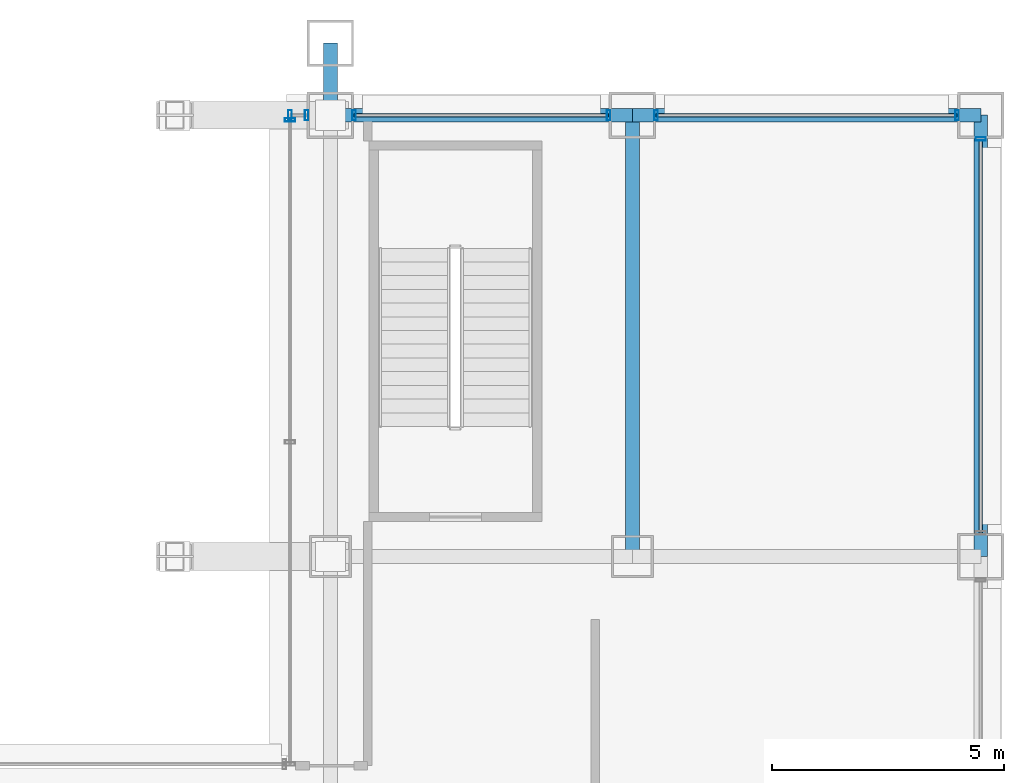
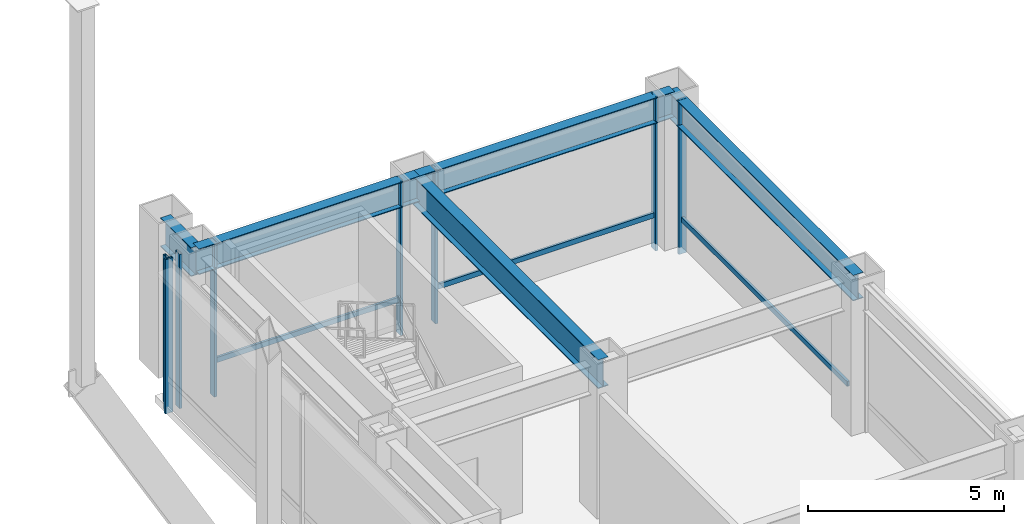
# One storey, part 25 of 40: 11 members, 5 beams, 5 elements without a shape of their own.
"""IFC4 building model written with IfcOpenShell, lengths in metres."""

from ifc_helpers import new_model, si_unit, direction, frame, origin, origin_2d, place, context, subcontext, project, spatial, hollow_rectangle, i_section, extrude, material, layer, layer_set, material_profile, profile_set, type_object, element, aggregate, save


model = new_model("IFC4")

# Units and contexts
model_context = context("Model", 3, precision=1e-05, world=origin(), true_north=direction((0.0, 1.0)))
body_context = subcontext(model_context, "Body", "Model", "MODEL_VIEW")
ifc_project = project(units=[si_unit("LENGTHUNIT", "METRE"), si_unit("AREAUNIT", "SQUARE_METRE"), si_unit("VOLUMEUNIT", "CUBIC_METRE"), si_unit("PLANEANGLEUNIT", "RADIAN"), si_unit("MASSUNIT", "GRAM", prefix="KILO")], contexts=[model_context])

# Site, building, storey
site_placement = place(None, origin())
site = spatial("IfcSite", under=ifc_project, at=site_placement, CompositionType="ELEMENT")
building_placement = place(site_placement, origin())
building = spatial("IfcBuilding", under=site, at=building_placement, Name="Brelmoor Portico Tower", CompositionType="ELEMENT")
storey_placement = place(building_placement, frame((0.0, 0.0, 4.800048828125)))
storey = spatial("IfcBuildingStorey", under=building, at=storey_placement, Name="L01", CompositionType="ELEMENT", Elevation=4.800048828125)

# Beams
ifc_material_1 = material(Name="Steel Q355B", Category="steel")
ifc_material_profile_1 = material_profile(ifc_material_1, i_section(OverallWidth=0.300048828125, OverallDepth=0.89990234375, WebThickness=0.01611328125, FlangeThickness=0.028076171875, at=origin_2d()), Name="HN 900x300x16x28")
ifc_profile_set_1 = profile_set([ifc_material_profile_1], Name="Steel Q355B")
beam_type_1 = type_object("IfcBeamType", Name="BM-PG-900", PredefinedType="BEAM", material=ifc_profile_set_1)
beam_1_placement = place(storey_placement, frame((14.550048828125, 27.550048828125, 4.1298828125), z_axis=(0.0, 1.0, 0.0), x_axis=(-1.0, 0.0, 0.0)))
element("IfcBeam", 1, at=beam_1_placement, inside=storey, type_object=beam_type_1, Name="L01 Primary Floor Girder PG-18", PredefinedType="BEAM", context=body_context, shape_type="SweptSolid", body=[
    extrude(i_section(OverallWidth=0.300048828125, OverallDepth=0.89990234375, WebThickness=0.01611328125, FlangeThickness=0.028076171875, at=origin_2d()), origin(), (0.0, 0.0, 1.0), 1.550048828125),
])
beam_2_placement = place(storey_placement, frame((21.050048828125, 18.050048828125, 4.1298828125), z_axis=(0.0, 1.0, 0.0), x_axis=(-1.0, 0.0, 0.0)))
element("IfcBeam", 2, at=beam_2_placement, inside=storey, type_object=beam_type_1, Name="L01 Primary Floor Girder PG-20", PredefinedType="BEAM", context=body_context, shape_type="SweptSolid", body=[
    extrude(i_section(OverallWidth=0.300048828125, OverallDepth=0.89990234375, WebThickness=0.01611328125, FlangeThickness=0.028076171875, at=origin_2d()), origin(), (0.0, 0.0, 1.0), 9.5),
])
ifc_material_profile_2 = material_profile(ifc_material_1, i_section(OverallWidth=0.300048828125, OverallDepth=0.800048828125, WebThickness=0.013916015625, FlangeThickness=0.02587890625, at=origin_2d()), Name="HN 800x300x14x26")
ifc_profile_set_2 = profile_set([ifc_material_profile_2], Name="Steel Q355B")
beam_type_2 = type_object("IfcBeamType", Name="BM-SP-800", PredefinedType="SPANDREL", material=ifc_profile_set_2)
beam_3_placement = place(storey_placement, frame((14.550048828125, 27.550048828125, 4.179931640625), z_axis=(1.0, 0.0, 0.0), x_axis=(0.0, 1.0, 0.0)))
element("IfcBeam", 3, at=beam_3_placement, inside=storey, type_object=beam_type_2, Name="L01 Perimeter Spandrel Beam SP-07", PredefinedType="SPANDREL", context=body_context, shape_type="SweptSolid", body=[
    extrude(i_section(OverallWidth=0.300048828125, OverallDepth=0.800048828125, WebThickness=0.013916015625, FlangeThickness=0.02587890625, at=origin_2d()), origin(), (0.0, 0.0, 1.0), 6.5),
])
beam_4_placement = place(storey_placement, frame((21.050048828125, 27.550048828125, 4.179931640625), z_axis=(1.0, 0.0, 0.0), x_axis=(0.0, 1.0, 0.0)))
element("IfcBeam", 4, at=beam_4_placement, inside=storey, type_object=beam_type_2, Name="L01 Perimeter Spandrel Beam SP-08", PredefinedType="SPANDREL", context=body_context, shape_type="SweptSolid", body=[
    extrude(i_section(OverallWidth=0.300048828125, OverallDepth=0.800048828125, WebThickness=0.013916015625, FlangeThickness=0.02587890625, at=origin_2d()), origin(), (0.0, 0.0, 1.0), 7.5),
])
beam_5_placement = place(storey_placement, frame((28.550048828125, 18.050048828125, 4.179931640625), z_axis=(0.0, 1.0, 0.0), x_axis=(-1.0, 0.0, 0.0)))
element("IfcBeam", 5, at=beam_5_placement, inside=storey, type_object=beam_type_2, Name="L01 Perimeter Spandrel Beam SP-20", PredefinedType="SPANDREL", context=body_context, shape_type="SweptSolid", body=[
    extrude(i_section(OverallWidth=0.300048828125, OverallDepth=0.800048828125, WebThickness=0.013916015625, FlangeThickness=0.02587890625, at=origin_2d()), origin(), (0.0, 0.0, 1.0), 9.5),
])

# Curtain wall, members
ifc_material_2 = material(Name="Anodised Aluminium Alloy 6063-T6", Category="aluminium")
ifc_layer = layer(ifc_material_2, 0.179931640625)
ifc_layer_set = layer_set([ifc_layer], Name="Anodised Aluminium Alloy 6063-T6")
curtain_wall_type = type_object("IfcCurtainWallType", Name="CW-PODIUM-ARCH", PredefinedType="NOTDEFINED", material=ifc_layer_set)
curtain_wall_1_placement = place(storey_placement, origin())
curtain_wall_1 = element("IfcCurtainWall", 6, at=curtain_wall_1_placement, inside=storey, type_object=curtain_wall_type, Name="L01 Curtain Wall CW-L01-04-1", PredefinedType="NOTDEFINED")
ifc_material_profile_3 = material_profile(ifc_material_2, hollow_rectangle(XDim=0.074951171875, YDim=0.219970703125, WallThickness=0.0048828125, at=origin_2d()), Name="ALU MULLION 75x220")
ifc_profile_set_3 = profile_set([ifc_material_profile_3], Name="Anodised Aluminium Alloy 6063-T6")
member_type_1 = type_object("IfcMemberType", Name="MB-CW-MULL-220", PredefinedType="MULLION", material=ifc_profile_set_3)
member_1_placement = place(storey_placement, frame((13.679931640625, 27.550048828125, -0.219970703125), z_axis=(0.0, 0.0, 1.0), x_axis=(1.0, 0.0, 0.0)))
member_1 = element("IfcMember", 7, at=member_1_placement, type_object=member_type_1, Name="CW-L01-04-1 Mullion 00", PredefinedType="MULLION", context=body_context, shape_type="SweptSolid", body=[
    extrude(hollow_rectangle(XDim=0.074951171875, YDim=0.219970703125, WallThickness=0.0048828125, at=origin_2d()), origin(), (0.0, 0.0, 1.0), 4.7998046875),
])
member_2_placement = place(storey_placement, frame((14.0400390625, 27.550048828125, -0.219970703125), z_axis=(0.0, 0.0, 1.0), x_axis=(1.0, 0.0, 0.0)))
member_2 = element("IfcMember", 8, at=member_2_placement, type_object=member_type_1, Name="CW-L01-04-1 Mullion 01", PredefinedType="MULLION", context=body_context, shape_type="SweptSolid", body=[
    extrude(hollow_rectangle(XDim=0.074951171875, YDim=0.219970703125, WallThickness=0.0048828125, at=origin_2d()), origin(), (0.0, 0.0, 1.0), 4.7998046875),
])
aggregate(curtain_wall_1, [member_1, member_2])

curtain_wall_2_placement = place(storey_placement, origin())
curtain_wall_2 = element("IfcCurtainWall", 9, at=curtain_wall_2_placement, inside=storey, type_object=curtain_wall_type, Name="L01 Curtain Wall CW-L01-04-2", PredefinedType="NOTDEFINED")
member_3_placement = place(storey_placement, frame((15.06005859375, 27.550048828125, -0.219970703125), z_axis=(0.0, 0.0, 1.0), x_axis=(1.0, 0.0, 0.0)))
member_3 = element("IfcMember", 10, at=member_3_placement, type_object=member_type_1, Name="CW-L01-04-2 Mullion 00", PredefinedType="MULLION", context=body_context, shape_type="SweptSolid", body=[
    extrude(hollow_rectangle(XDim=0.074951171875, YDim=0.219970703125, WallThickness=0.0048828125, at=origin_2d()), origin(), (0.0, 0.0, 1.0), 4.7998046875),
])
member_4_placement = place(storey_placement, frame((20.5400390625, 27.550048828125, -0.219970703125), z_axis=(0.0, 0.0, 1.0), x_axis=(1.0, 0.0, 0.0)))
member_4 = element("IfcMember", 11, at=member_4_placement, type_object=member_type_1, Name="CW-L01-04-2 Mullion 01", PredefinedType="MULLION", context=body_context, shape_type="SweptSolid", body=[
    extrude(hollow_rectangle(XDim=0.074951171875, YDim=0.219970703125, WallThickness=0.0048828125, at=origin_2d()), origin(), (0.0, 0.0, 1.0), 4.7998046875),
])

curtain_wall_3_placement = place(storey_placement, origin())
curtain_wall_3 = element("IfcCurtainWall", 12, at=curtain_wall_3_placement, inside=storey, type_object=curtain_wall_type, Name="L01 Curtain Wall CW-L01-04-3", PredefinedType="NOTDEFINED")
member_5_placement = place(storey_placement, frame((21.56005859375, 27.550048828125, -0.219970703125), z_axis=(0.0, 0.0, 1.0), x_axis=(1.0, 0.0, 0.0)))
member_5 = element("IfcMember", 13, at=member_5_placement, type_object=member_type_1, Name="CW-L01-04-3 Mullion 00", PredefinedType="MULLION", context=body_context, shape_type="SweptSolid", body=[
    extrude(hollow_rectangle(XDim=0.074951171875, YDim=0.219970703125, WallThickness=0.0048828125, at=origin_2d()), origin(), (0.0, 0.0, 1.0), 4.7998046875),
])
member_6_placement = place(storey_placement, frame((28.0400390625, 27.550048828125, -0.219970703125), z_axis=(0.0, 0.0, 1.0), x_axis=(1.0, 0.0, 0.0)))
member_6 = element("IfcMember", 14, at=member_6_placement, type_object=member_type_1, Name="CW-L01-04-3 Mullion 01", PredefinedType="MULLION", context=body_context, shape_type="SweptSolid", body=[
    extrude(hollow_rectangle(XDim=0.074951171875, YDim=0.219970703125, WallThickness=0.0048828125, at=origin_2d()), origin(), (0.0, 0.0, 1.0), 4.7998046875),
])

# Curtain wall, member
curtain_wall_4_placement = place(storey_placement, origin())
curtain_wall_4 = element("IfcCurtainWall", 15, at=curtain_wall_4_placement, inside=storey, type_object=curtain_wall_type, Name="L01 Curtain Wall CW-L01-06-6", PredefinedType="NOTDEFINED")
member_7_placement = place(storey_placement, frame((28.550048828125, 27.0400390625, -0.219970703125), z_axis=(0.0, 0.0, 1.0), x_axis=(0.0, 1.0, 0.0)))
member_7 = element("IfcMember", 16, at=member_7_placement, type_object=member_type_1, Name="CW-L01-06-6 Mullion 01", PredefinedType="MULLION", context=body_context, shape_type="SweptSolid", body=[
    extrude(hollow_rectangle(XDim=0.074951171875, YDim=0.219970703125, WallThickness=0.0048828125, at=origin_2d()), origin(), (0.0, 0.0, 1.0), 4.7998046875),
])

curtain_wall_5_placement = place(storey_placement, origin())
curtain_wall_5 = element("IfcCurtainWall", 17, at=curtain_wall_5_placement, inside=storey, type_object=curtain_wall_type, Name="L01 Curtain Wall CW-L01-10", PredefinedType="NOTDEFINED")
member_8_placement = place(storey_placement, frame((13.679931640625, 27.449951171875, -0.219970703125), z_axis=(0.0, 0.0, 1.0), x_axis=(0.0, 1.0, 0.0)))
member_8 = element("IfcMember", 18, at=member_8_placement, type_object=member_type_1, Name="CW-L01-10 Mullion 02", PredefinedType="MULLION", context=body_context, shape_type="SweptSolid", body=[
    extrude(hollow_rectangle(XDim=0.074951171875, YDim=0.219970703125, WallThickness=0.0048828125, at=origin_2d()), origin(), (0.0, 0.0, 1.0), 4.7998046875),
])
aggregate(curtain_wall_5, [member_8])

# Member
ifc_material_profile_4 = material_profile(ifc_material_2, hollow_rectangle(XDim=0.070068359375, YDim=0.159912109375, WallThickness=0.00390625, at=origin_2d()), Name="ALU TRANSOM 70x160")
ifc_profile_set_4 = profile_set([ifc_material_profile_4], Name="Anodised Aluminium Alloy 6063-T6")
member_type_2 = type_object("IfcMemberType", Name="MB-CW-TRAN-160", PredefinedType="USERDEFINED", material=ifc_profile_set_4)
member_9_placement = place(storey_placement, frame((15.06005859375, 27.550048828125, 0.849853515625), z_axis=(1.0, 0.0, 0.0), x_axis=(0.0, 1.0, 0.0)))
member_9 = element("IfcMember", 19, at=member_9_placement, type_object=member_type_2, Name="CW-L01-04-2 Transom 1-00", ObjectType="TRANSOM", PredefinedType="USERDEFINED", context=body_context, shape_type="SweptSolid", body=[
    extrude(hollow_rectangle(XDim=0.070068359375, YDim=0.159912109375, WallThickness=0.00390625, at=origin_2d()), origin(), (0.0, 0.0, 1.0), 5.47998046875),
])

aggregate(curtain_wall_2, [member_3, member_4, member_9])

member_10_placement = place(storey_placement, frame((21.56005859375, 27.550048828125, 0.849853515625), z_axis=(1.0, 0.0, 0.0), x_axis=(0.0, 1.0, 0.0)))
member_10 = element("IfcMember", 20, at=member_10_placement, type_object=member_type_2, Name="CW-L01-04-3 Transom 1-00", ObjectType="TRANSOM", PredefinedType="USERDEFINED", context=body_context, shape_type="SweptSolid", body=[
    extrude(hollow_rectangle(XDim=0.070068359375, YDim=0.159912109375, WallThickness=0.00390625, at=origin_2d()), origin(), (0.0, 0.0, 1.0), 6.47998046875),
])

aggregate(curtain_wall_3, [member_5, member_6, member_10])

member_11_placement = place(storey_placement, frame((28.550048828125, 18.56005859375, 0.849853515625), z_axis=(0.0, 1.0, 0.0), x_axis=(-1.0, 0.0, 0.0)))
member_11 = element("IfcMember", 21, at=member_11_placement, type_object=member_type_2, Name="CW-L01-06-6 Transom 1-00", ObjectType="TRANSOM", PredefinedType="USERDEFINED", context=body_context, shape_type="SweptSolid", body=[
    extrude(hollow_rectangle(XDim=0.070068359375, YDim=0.159912109375, WallThickness=0.00390625, at=origin_2d()), origin(), (0.0, 0.0, 1.0), 8.47998046875),
])

aggregate(curtain_wall_4, [member_7, member_11])

save(model, "model.ifc")
